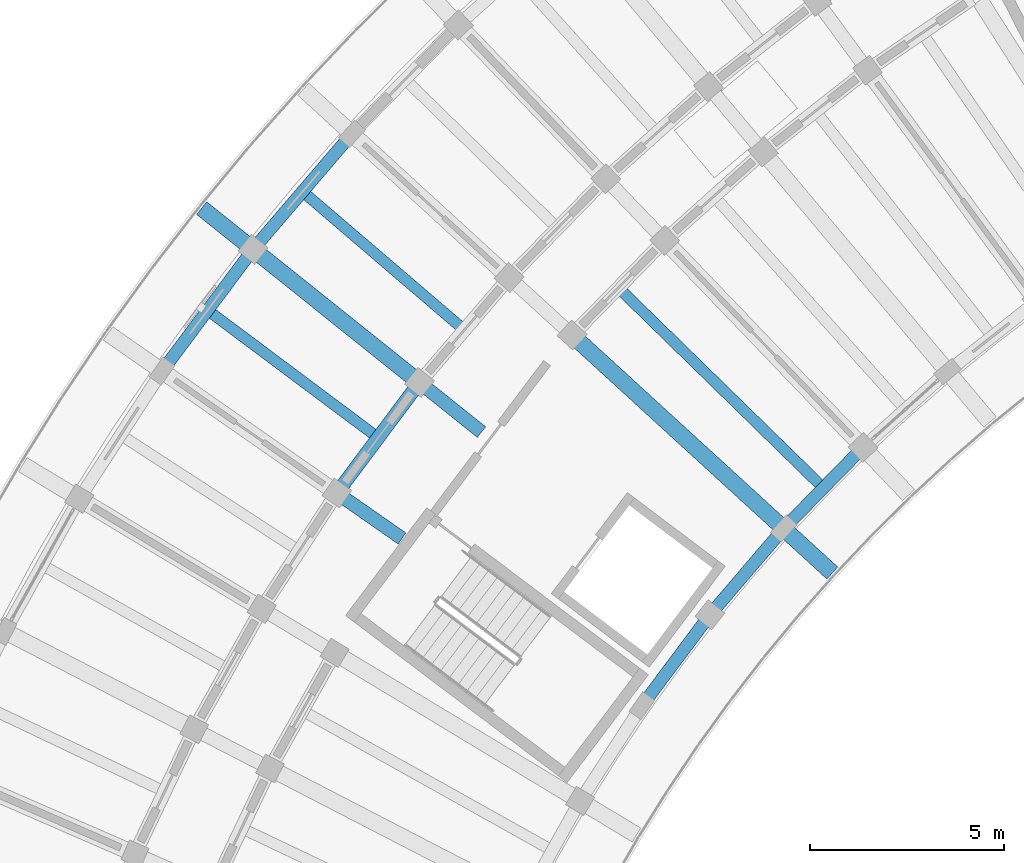
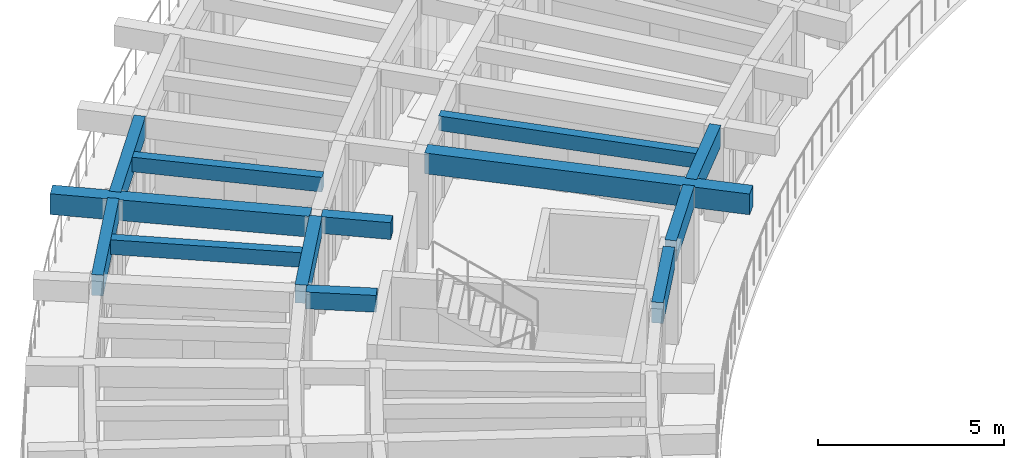
# One storey, part 11 of 78: 13 beams.
"""IFC4 building model written with IfcOpenShell, lengths in metres."""

from ifc_helpers import new_model, si_unit, direction, frame, origin, origin_2d, place, context, subcontext, project, spatial, rectangle, extrude, material, material_profile, profile_set, type_object, element, save


model = new_model("IFC4")

# Units and contexts
model_context = context("Model", 3, precision=1e-05, world=origin(), true_north=direction((0.0, 1.0)))
body_context = subcontext(model_context, "Body", "Model", "MODEL_VIEW")
ifc_project = project(units=[si_unit("LENGTHUNIT", "METRE"), si_unit("AREAUNIT", "SQUARE_METRE"), si_unit("VOLUMEUNIT", "CUBIC_METRE"), si_unit("PLANEANGLEUNIT", "RADIAN"), si_unit("MASSUNIT", "GRAM", prefix="KILO")], contexts=[model_context])

# Site, building, storey
site_placement = place(None, origin())
site = spatial("IfcSite", under=ifc_project, at=site_placement, CompositionType="ELEMENT")
building_placement = place(site_placement, origin())
building = spatial("IfcBuilding", under=site, at=building_placement, Name="Tanwirah Colonnade Gardens", CompositionType="ELEMENT")
storey_placement = place(building_placement, frame((0.0, 0.0, 22.280029296875)))
storey = spatial("IfcBuildingStorey", under=building, at=storey_placement, Name="L06", CompositionType="ELEMENT", Elevation=22.280029296875)

# Beams
ifc_material_1 = material(Name="Precast concrete C40/50", Category="concrete")
ifc_material_profile_1 = material_profile(ifc_material_1, rectangle(XDim=0.35009765625, YDim=0.550048828125, at=origin_2d()), Name="PC-BM 350x550")
ifc_profile_set_1 = profile_set([ifc_material_profile_1], Name="Precast concrete C40/50")
beam_type_1 = type_object("IfcBeamType", Name="BM-PC350A", PredefinedType="BEAM", material=ifc_profile_set_1)
for number, where, z_axis, x_axis, name in (
    (1, (24.398681640625, 92.68896484375, 2.8349609375), (-0.78073089418, 0.624867402633, 0.0), (-0.624867402633, -0.78073089418, 0.0), "Block A L06 Corridor Tie Beam 12"),
    (2, (22.346435546875, 89.943359375, 2.8349609375), (-0.820305001782, 0.571926309983, 0.0), (-0.571926309983, -0.820305001782, 0.0), "Block A L06 Corridor Tie Beam 13"),
):
    element("IfcBeam", number, at=place(storey_placement, frame(where, z_axis=z_axis, x_axis=x_axis)), inside=storey, type_object=beam_type_1, Name=name, PredefinedType="BEAM", context=body_context, shape_type="SweptSolid", body=[
        extrude(rectangle(XDim=0.35009765625, YDim=0.550048828125, at=origin_2d()), origin(), (0.0, 0.0, 1.0), 1.89990234375),
    ])
ifc_material_profile_2 = material_profile(ifc_material_1, rectangle(XDim=0.35009765625, YDim=0.60009765625, at=origin_2d()), Name="PC-BM 350x600")
ifc_profile_set_2 = profile_set([ifc_material_profile_2], Name="Precast concrete C40/50")
beam_type_2 = type_object("IfcBeamType", Name="BM-PC350B", PredefinedType="BEAM", material=ifc_profile_set_2)
beam_1_placement = place(storey_placement, frame((22.708251953125, 93.849609375, 2.81005859375), z_axis=(-0.59871829396, -0.800959677186, 0.0), x_axis=(0.800959677186, -0.59871829396, 0.0)))
element("IfcBeam", 3, at=beam_1_placement, inside=storey, type_object=beam_type_2, Name="Block A L06 Circumferential Beam 12-R2", PredefinedType="BEAM", context=body_context, shape_type="SweptSolid", body=[
    extrude(rectangle(XDim=0.35009765625, YDim=0.60009765625, at=origin_2d()), origin(), (0.0, 0.0, 1.0), 3.262939453125),
])
ifc_material_2 = material(Name="Precast concrete C45/55", Category="concrete")
ifc_material_profile_3 = material_profile(ifc_material_2, rectangle(XDim=0.419921875, YDim=0.679931640625, at=origin_2d()), Name="PC-BM 420x680")
ifc_profile_set_3 = profile_set([ifc_material_profile_3], Name="Precast concrete C45/55")
beam_type_3 = type_object("IfcBeamType", Name="BM-PC420", PredefinedType="BEAM", material=ifc_profile_set_3)
beam_2_placement = place(storey_placement, frame((26.848876953125, 95.091064453125, 2.77001953125), z_axis=(0.737937205818, -0.674869380154, 0.0), x_axis=(0.674869380154, 0.737937205818, 0.0)))
element("IfcBeam", 4, at=beam_2_placement, inside=storey, type_object=beam_type_3, Name="Block A L06 Inner Radial Precast Girder 11", PredefinedType="BEAM", context=body_context, shape_type="SweptSolid", body=[
    extrude(rectangle(XDim=0.419921875, YDim=0.679931640625, at=origin_2d()), origin(), (0.0, 0.0, 1.0), 8.949951171875),
])
beam_3_placement = place(storey_placement, frame((22.680908203125, 94.0634765625, 2.77001953125), z_axis=(-0.780794476885, 0.624787951921, 0.0), x_axis=(-0.624787951921, -0.780794476885, 0.0)))
element("IfcBeam", 5, at=beam_3_placement, inside=storey, type_object=beam_type_3, Name="Block A L06 Outer Radial Precast Girder 12", PredefinedType="BEAM", context=body_context, shape_type="SweptSolid", body=[
    extrude(rectangle(XDim=0.419921875, YDim=0.679931640625, at=origin_2d()), origin(), (0.0, 0.0, 1.0), 7.050048828125),
])
ifc_material_profile_4 = material_profile(ifc_material_1, rectangle(XDim=0.280029296875, YDim=0.47998046875, at=origin_2d()), Name="PC-JST 280x480")
ifc_profile_set_4 = profile_set([ifc_material_profile_4], Name="Precast concrete C40/50")
beam_type_4 = type_object("IfcBeamType", Name="JST-PC280", PredefinedType="JOIST", material=ifc_profile_set_4)
beam_4_placement = place(storey_placement, frame((33.11962890625, 91.346923828125, 2.869873046875), z_axis=(-0.715276680509, 0.698841377081, 0.0), x_axis=(-0.698841377081, -0.715276680509, 0.0)))
element("IfcBeam", 6, at=beam_4_placement, inside=storey, type_object=beam_type_4, Name="Block A L06 Inner Precast Floor Joist 10", PredefinedType="JOIST", context=body_context, shape_type="SweptSolid", body=[
    extrude(rectangle(XDim=0.280029296875, YDim=0.47998046875, at=origin_2d()), origin(), (0.0, 0.0, 1.0), 7.159912109375),
])
beam_5_placement = place(storey_placement, frame((23.843017578125, 95.42041015625, 2.869873046875), z_axis=(-0.759770723643, 0.65019108537, 0.0), x_axis=(-0.65019108537, -0.759770723643, 0.0)))
element("IfcBeam", 7, at=beam_5_placement, inside=storey, type_object=beam_type_4, Name="Block A L06 Precast Floor Joist 11", PredefinedType="JOIST", context=body_context, shape_type="SweptSolid", body=[
    extrude(rectangle(XDim=0.280029296875, YDim=0.47998046875, at=origin_2d()), origin(), (0.0, 0.0, 1.0), 5.26025390625),
])
beam_6_placement = place(storey_placement, frame((21.61181640625, 92.63232421875, 2.869873046875), z_axis=(-0.800973647215, 0.598699604533, 0.0), x_axis=(-0.598699604533, -0.800973647215, 0.0)))
element("IfcBeam", 8, at=beam_6_placement, inside=storey, type_object=beam_type_4, Name="Block A L06 Precast Floor Joist 12", PredefinedType="JOIST", context=body_context, shape_type="SweptSolid", body=[
    extrude(rectangle(XDim=0.280029296875, YDim=0.47998046875, at=origin_2d()), origin(), (0.0, 0.0, 1.0), 5.260009765625),
])
ifc_material_profile_5 = material_profile(ifc_material_2, rectangle(XDim=0.320068359375, YDim=0.679931640625, at=origin_2d()), Name="PC-SP 320x680")
ifc_profile_set_5 = profile_set([ifc_material_profile_5], Name="Precast concrete C45/55")
beam_type_5 = type_object("IfcBeamType", Name="SP-PC320", PredefinedType="SPANDREL", material=ifc_profile_set_5)
beam_7_placement = place(storey_placement, frame((34.141845703125, 92.186767578125, 2.77001953125), z_axis=(-0.698844462704, -0.715273665772, 0.0), x_axis=(0.715273665772, -0.698844462704, 0.0)))
element("IfcBeam", 9, at=beam_7_placement, inside=storey, type_object=beam_type_5, Name="Block A L06 Circumferential Beam 10-R0", PredefinedType="SPANDREL", context=body_context, shape_type="SweptSolid", body=[
    extrude(rectangle(XDim=0.320068359375, YDim=0.679931640625, at=origin_2d()), origin(), (0.0, 0.0, 1.0), 2.630126953125),
])
beam_8_placement = place(storey_placement, frame((32.101318359375, 90.084228515625, 2.77001953125), z_axis=(-0.650172023628, -0.759787035749, 0.0), x_axis=(0.759787035749, -0.650172023628, 0.0)))
element("IfcBeam", 10, at=beam_8_placement, inside=storey, type_object=beam_type_5, Name="Block A L06 Circumferential Beam 11-R0", PredefinedType="SPANDREL", context=body_context, shape_type="SweptSolid", body=[
    extrude(rectangle(XDim=0.320068359375, YDim=0.679931640625, at=origin_2d()), origin(), (0.0, 0.0, 1.0), 2.63037109375),
])
beam_9_placement = place(storey_placement, frame((20.95849609375, 100.27490234375, 2.77001953125), z_axis=(-0.65013123267, -0.75982193987, 0.0), x_axis=(0.75982193987, -0.65013123267, 0.0)))
element("IfcBeam", 11, at=beam_9_placement, inside=storey, type_object=beam_type_5, Name="Block A L06 Circumferential Beam 11-R3", PredefinedType="SPANDREL", context=body_context, shape_type="SweptSolid", body=[
    extrude(rectangle(XDim=0.320068359375, YDim=0.679931640625, at=origin_2d()), origin(), (0.0, 0.0, 1.0), 3.625732421875),
])
beam_10_placement = place(storey_placement, frame((30.203857421875, 87.851806640625, 2.77001953125), z_axis=(-0.598662613551, -0.80100129534, 0.0), x_axis=(0.80100129534, -0.598662613551, 0.0)))
element("IfcBeam", 12, at=beam_10_placement, inside=storey, type_object=beam_type_5, Name="Block A L06 Circumferential Beam 12-R0", PredefinedType="SPANDREL", context=body_context, shape_type="SweptSolid", body=[
    extrude(rectangle(XDim=0.320068359375, YDim=0.679931640625, at=origin_2d()), origin(), (0.0, 0.0, 1.0), 2.63037109375),
])
beam_11_placement = place(storey_placement, frame((18.413818359375, 97.285888671875, 2.77001953125), z_axis=(-0.598695554058, -0.800976674786, 0.0), x_axis=(0.800976674786, -0.598695554058, 0.0)))
element("IfcBeam", 13, at=beam_11_placement, inside=storey, type_object=beam_type_5, Name="Block A L06 Circumferential Beam 12-R3", PredefinedType="SPANDREL", context=body_context, shape_type="SweptSolid", body=[
    extrude(rectangle(XDim=0.320068359375, YDim=0.679931640625, at=origin_2d()), origin(), (0.0, 0.0, 1.0), 3.625732421875),
])

save(model, "model.ifc")
